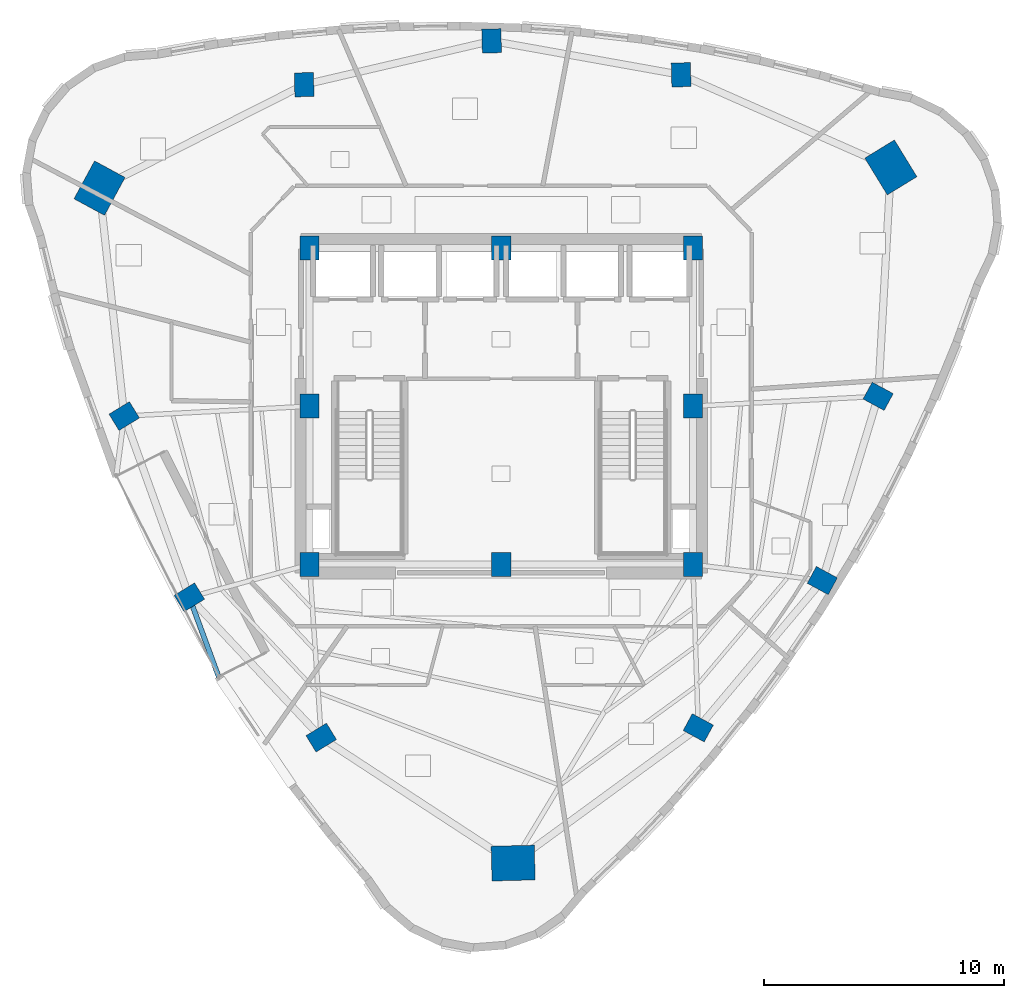
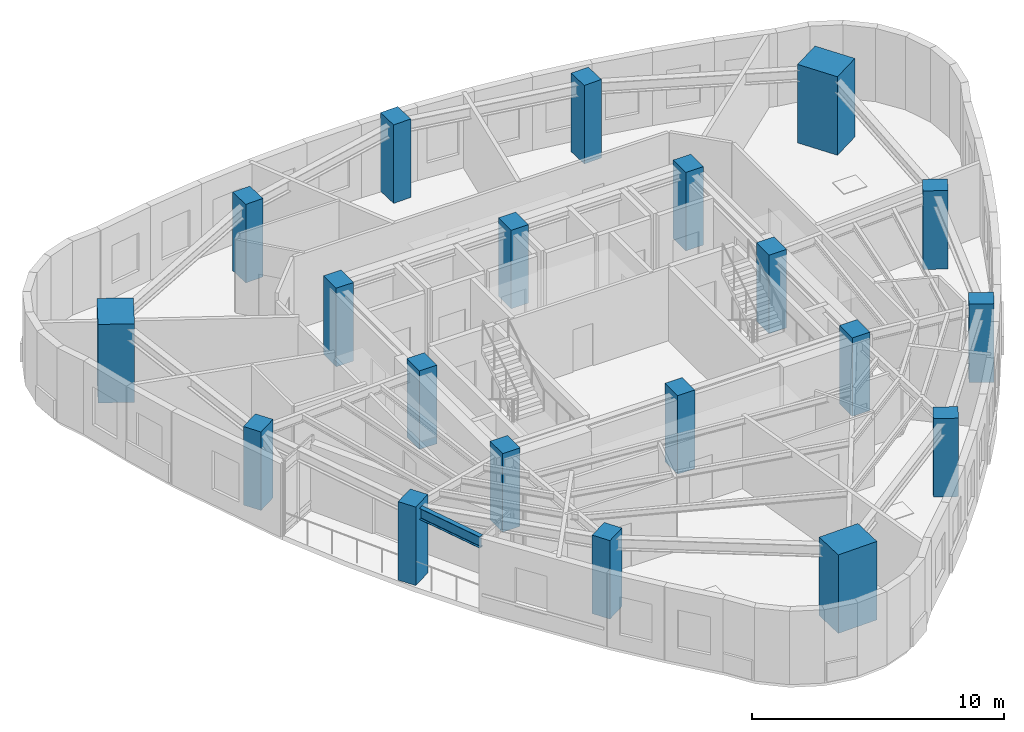
# One storey, part 1 of 12: 20 columns, 1 beam.
"""IFC4 building model written with IfcOpenShell, lengths in metres."""

from ifc_helpers import new_model, si_unit, direction, frame, origin, origin_2d, place, context, subcontext, project, spatial, rectangle, i_section, extrude, material, material_profile, profile_set, type_object, element, save


model = new_model("IFC4")

# Units and contexts
model_context = context("Model", 3, precision=1e-05, world=origin(), true_north=direction((0.0, 1.0)))
body_context = subcontext(model_context, "Body", "Model", "MODEL_VIEW")
ifc_project = project(units=[si_unit("LENGTHUNIT", "METRE"), si_unit("AREAUNIT", "SQUARE_METRE"), si_unit("VOLUMEUNIT", "CUBIC_METRE"), si_unit("PLANEANGLEUNIT", "RADIAN"), si_unit("MASSUNIT", "GRAM", prefix="KILO")], contexts=[model_context])

# Site, building, storey
site_placement = place(None, origin())
site = spatial("IfcSite", under=ifc_project, at=site_placement, CompositionType="ELEMENT")
building_placement = place(site_placement, origin())
building = spatial("IfcBuilding", under=site, at=building_placement, Name="Ndelora Gate Hotel", CompositionType="ELEMENT")
storey_placement = place(building_placement, frame((0.0, 0.0, 201.75)))
storey = spatial("IfcBuildingStorey", under=building, at=storey_placement, Name="L50", CompositionType="ELEMENT", Elevation=201.75)

# Columns
ifc_material_1 = material(Name="Concrete C50/60", Category="concrete")
ifc_material_profile_1 = material_profile(ifc_material_1, rectangle(XDim=0.800048828125, YDim=1.0, at=origin_2d()), Name="RC 1000x800")
ifc_profile_set_1 = profile_set([ifc_material_profile_1], Name="Concrete C50/60")
column_type_1 = type_object("IfcColumnType", Name="COL-CC-HI", PredefinedType="COLUMN", material=ifc_profile_set_1)
for number, where, z_axis, x_axis, name in (
    (1, (-8.0, -6.60009765625, 0.0), (0.0, 0.0, 1.0), (1.0, 0.0, 0.0), "L50 Core Column CC1"),
    (2, (0.0, -6.60009765625, 0.0), (0.0, 0.0, 1.0), (1.0, 0.0, 0.0), "L50 Core Column CC2"),
    (3, (8.0, -6.60009765625, 0.0), (0.0, 0.0, 1.0), (1.0, 0.0, 0.0), "L50 Core Column CC3"),
    (4, (8.0, 0.0, 0.0), (0.0, 0.0, 1.0), (1.0, 0.0, 0.0), "L50 Core Column CC4"),
    (5, (8.0, 6.60009765625, 0.0), (0.0, 0.0, 1.0), (1.0, 0.0, 0.0), "L50 Core Column CC5"),
    (6, (0.0, 6.60009765625, 0.0), (0.0, 0.0, 1.0), (1.0, 0.0, 0.0), "L50 Core Column CC6"),
    (7, (-8.0, 6.60009765625, 0.0), (0.0, 0.0, 1.0), (1.0, 0.0, 0.0), "L50 Core Column CC7"),
    (8, (-8.0, 0.0, 0.0), (0.0, 0.0, 1.0), (1.0, 0.0, 0.0), "L50 Core Column CC8"),
):
    element("IfcColumn", number, at=place(storey_placement, frame(where, z_axis=z_axis, x_axis=x_axis)), inside=storey, type_object=column_type_1, Name=name, PredefinedType="COLUMN", context=body_context, shape_type="SweptSolid", body=[
        extrude(rectangle(XDim=0.800048828125, YDim=1.0, at=origin_2d()), origin(), (0.0, 0.0, 1.0), 3.800048828125),
    ])
ifc_material_profile_2 = material_profile(ifc_material_1, rectangle(XDim=1.449951171875, YDim=1.800048828125, at=origin_2d()), Name="RC 1800x1450")
ifc_profile_set_2 = profile_set([ifc_material_profile_2], Name="Concrete C50/60")
column_type_2 = type_object("IfcColumnType", Name="COL-MC-Z3", PredefinedType="COLUMN", material=ifc_profile_set_2)
for number, where, z_axis, x_axis, name in (
    (9, (-16.759521484375, 9.099609375, 0.0), (0.0, 0.0, 1.0), (-0.878817112662, 0.47715876026, 0.0), "L50 Corner Mega-Column R1"),
    (10, (0.499267578125, -19.064208984375, 0.0), (0.0, 0.0, 1.0), (-0.026176948308, 0.999657324976, 0.0), "L50 Corner Mega-Column R5"),
    (11, (16.26025390625, 9.96435546875, 0.0), (0.0, 0.0, 1.0), (0.852640164354, 0.522498564716, 0.0), "L50 Corner Mega-Column R9"),
):
    element("IfcColumn", number, at=place(storey_placement, frame(where, z_axis=z_axis, x_axis=x_axis)), inside=storey, type_object=column_type_2, Name=name, PredefinedType="COLUMN", context=body_context, shape_type="SweptSolid", body=[
        extrude(rectangle(XDim=1.449951171875, YDim=1.800048828125, at=origin_2d()), origin(), (0.0, 0.0, 1.0), 3.800048828125),
    ])
ifc_material_profile_3 = material_profile(ifc_material_1, rectangle(XDim=0.800048828125, YDim=1.0, at=origin_2d()), Name="RC 1000x800")
ifc_profile_set_3 = profile_set([ifc_material_profile_3], Name="Concrete C50/60")
column_type_3 = type_object("IfcColumnType", Name="COL-PT-Z3", PredefinedType="COLUMN", material=ifc_profile_set_3)
for number, where, z_axis, x_axis, name in (
    (12, (-15.72998046875, -0.411865234375, 0.0), (0.0, 0.0, 1.0), (-0.522498564716, 0.852640164354, 0.0), "L50 Perimeter Tube Column R2"),
    (13, (-13.011962890625, -7.973876953125, 0.0), (0.0, 0.0, 1.0), (-0.522498564716, 0.852640164354, 0.0), "L50 Perimeter Tube Column R3"),
    (14, (-7.50830078125, -13.828369140625, 0.0), (0.0, 0.0, 1.0), (-0.522498564716, 0.852640164354, 0.0), "L50 Perimeter Tube Column R4"),
    (15, (8.223876953125, -13.419921875, 0.0), (0.0, 0.0, 1.0), (0.47715876026, 0.878817112662, 0.0), "L50 Perimeter Tube Column R6"),
    (16, (13.400390625, -7.275634765625, 0.0), (0.0, 0.0, 1.0), (0.47715876026, 0.878817112662, 0.0), "L50 Perimeter Tube Column R7"),
    (17, (15.72998046875, 0.411865234375, 0.0), (0.0, 0.0, 1.0), (0.47715876026, 0.878817112662, 0.0), "L50 Perimeter Tube Column R8"),
    (18, (7.50830078125, 13.828369140625, 0.0), (0.0, 0.0, 1.0), (0.999657324976, 0.026176948308, 0.0), "L50 Perimeter Tube Column R10"),
    (19, (-0.399169921875, 15.242919921875, 0.0), (0.0, 0.0, 1.0), (0.999657324976, 0.026176948308, 0.0), "L50 Perimeter Tube Column R11"),
    (20, (-8.2216796875, 13.41650390625, 0.0), (0.0, 0.0, 1.0), (0.999657324976, 0.026176948308, 0.0), "L50 Perimeter Tube Column R12"),
):
    element("IfcColumn", number, at=place(storey_placement, frame(where, z_axis=z_axis, x_axis=x_axis)), inside=storey, type_object=column_type_3, Name=name, PredefinedType="COLUMN", context=body_context, shape_type="SweptSolid", body=[
        extrude(rectangle(XDim=0.800048828125, YDim=1.0, at=origin_2d()), origin(), (0.0, 0.0, 1.0), 3.800048828125),
    ])

# Beam
ifc_material_2 = material(Name="Steel S355", Category="steel")
ifc_material_profile_4 = material_profile(ifc_material_2, i_section(OverallWidth=0.2099609375, OverallDepth=0.550048828125, WebThickness=0.010986328125, FlangeThickness=0.01708984375, FilletRadius=0.02392578125, at=origin_2d()), Name="IPE 550")
ifc_profile_set_4 = profile_set([ifc_material_profile_4], Name="Steel S355")
beam_type = type_object("IfcBeamType", Name="BM-RAD-550", PredefinedType="BEAM", material=ifc_profile_set_4)
beam_placement = place(storey_placement, frame((-13.011962890625, -7.973876953125, 3.27490234375), z_axis=(0.34572460366, -0.938336026391, 0.0), x_axis=(0.938336026391, 0.34572460366, 0.0)))
element("IfcBeam", 21, at=beam_placement, inside=storey, type_object=beam_type, Name="L50 Sky-Garden Loggia Column Bracket 3", PredefinedType="BEAM", context=body_context, shape_type="SweptSolid", body=[
    extrude(i_section(OverallWidth=0.2099609375, OverallDepth=0.550048828125, WebThickness=0.010986328125, FlangeThickness=0.01708984375, FilletRadius=0.02392578125, at=origin_2d()), origin(), (0.0, 0.0, 1.0), 3.52734375),
])

save(model, "model.ifc")
